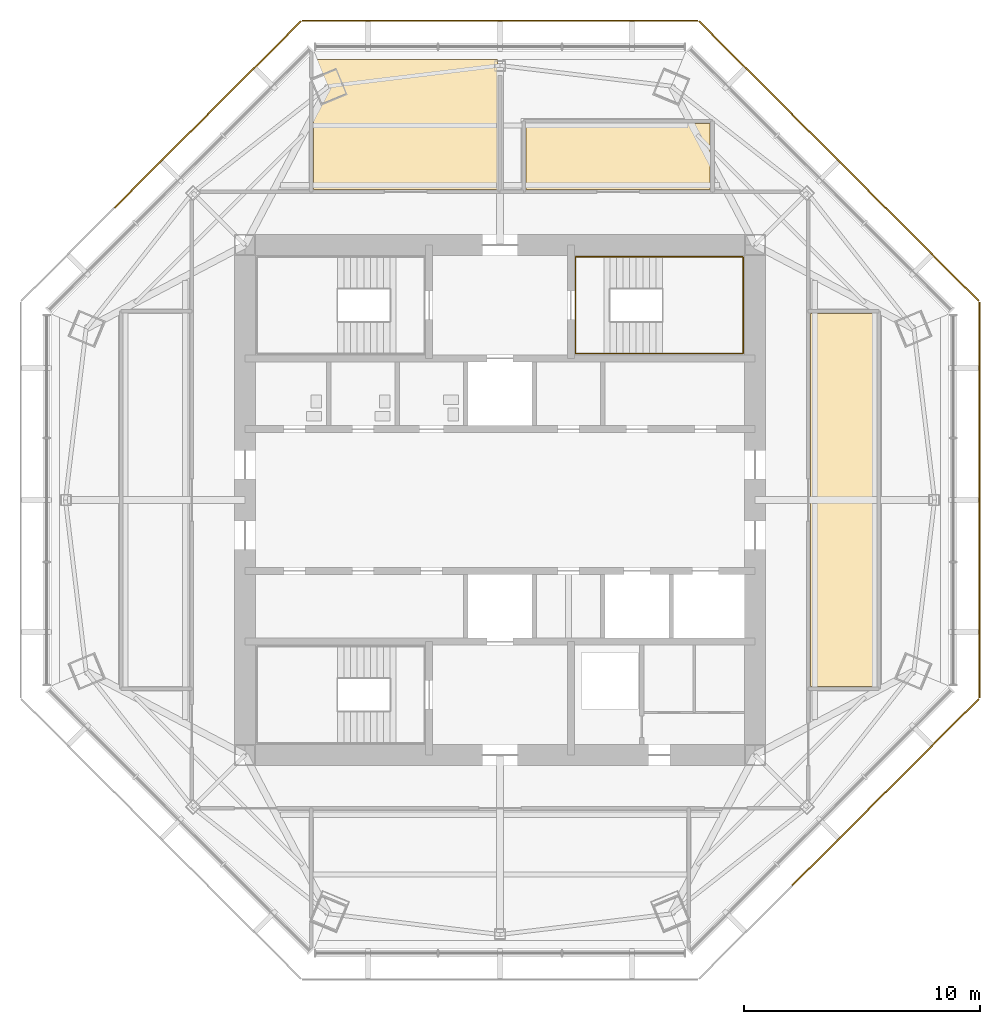
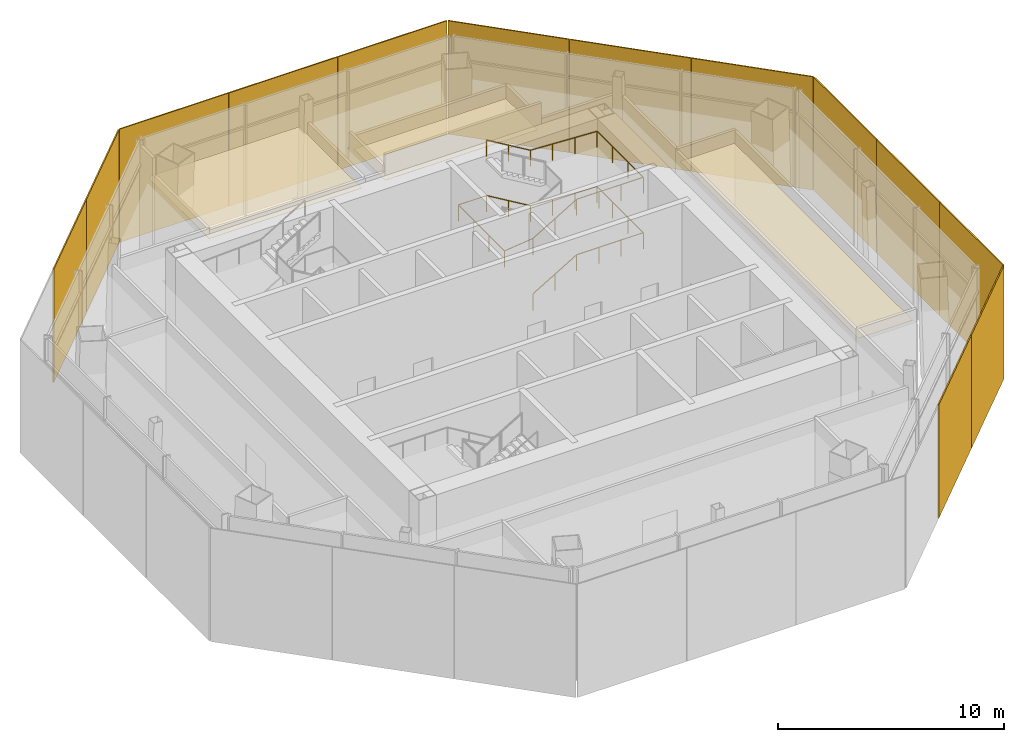
# One storey, part 10 of 11: 13 shading devices, 3 coverings, 1 railing.
"""IFC4 building model written with IfcOpenShell, lengths in metres."""

from ifc_helpers import new_model, si_unit, direction, frame, origin, origin_2d, place, context, subcontext, project, spatial, polyline, rectangle, circle, outline, extrude, source, transform, mapped, material, layer, layer_set, type_object, type_shapes, element, save


model = new_model("IFC4")

# Units and contexts
model_context = context("Model", 3, precision=1e-05, world=origin(), true_north=direction((0.0, 1.0)))
body_context = subcontext(model_context, "Body", "Model", "MODEL_VIEW")
ifc_project = project(units=[si_unit("LENGTHUNIT", "METRE"), si_unit("AREAUNIT", "SQUARE_METRE"), si_unit("VOLUMEUNIT", "CUBIC_METRE"), si_unit("PLANEANGLEUNIT", "RADIAN"), si_unit("MASSUNIT", "GRAM", prefix="KILO")], contexts=[model_context])

# Site, building, storey
site_placement = place(None, origin())
site = spatial("IfcSite", under=ifc_project, at=site_placement, CompositionType="ELEMENT")
building_placement = place(site_placement, origin())
building = spatial("IfcBuilding", under=site, at=building_placement, Name="Mashrafa Tower", CompositionType="ELEMENT")
storey_placement = place(building_placement, frame((0.0, 0.0, 311.60009765625)))
storey = spatial("IfcBuildingStorey", under=building, at=storey_placement, Name="L77", CompositionType="ELEMENT", Elevation=311.60009765625)

# Railing
ifc_material_1 = material(Name="Steel", Category="steel")
railing_type = type_object("IfcRailingType", Name="Stair handrail 900", PredefinedType="HANDRAIL", material=ifc_material_1)
railing_placement = place(storey_placement, frame((4.64990234375, 6.199951171875, 0.16650390625)))
element("IfcRailing", 1, at=railing_placement, inside=storey, type_object=railing_type, Name="Stair S2 handrail L77", PredefinedType="HANDRAIL", context=body_context, shape_type="SweptSolid", body=[
    extrude(circle(Radius=0.02392578125, at=origin_2d()), frame((0.0, 0.0, 0.8759765625), z_axis=(0.859264461869, 0.0, 0.511531606619), x_axis=(0.0, 1.0, 0.0)), (0.0, 0.0, 1.0), 2.60693359375),
    extrude(circle(Radius=0.02392578125, at=origin_2d()), frame((2.239990234375, 0.0, 2.20947265625), z_axis=(1.0, 0.0, 0.0), x_axis=(0.0, 1.0, 0.0)), (0.0, 0.0, 1.0), 3.41015625),
    extrude(circle(Radius=0.02392578125, at=origin_2d()), frame((5.650146484375, 0.0, 2.20947265625), z_axis=(0.0, 1.0, 0.0), x_axis=(-1.0, 0.0, 0.0)), (0.0, 0.0, 1.0), 4.10009765625),
    extrude(circle(Radius=0.02392578125, at=origin_2d()), frame((5.650146484375, 4.10009765625, 2.20947265625), z_axis=(-0.998810143355, 0.0, 0.048767791936), x_axis=(0.0, -1.0, 0.0)), (0.0, 0.0, 1.0), 3.414306640625),
    extrude(circle(Radius=0.02392578125, at=origin_2d()), frame((2.239990234375, 4.10009765625, 2.3759765625), z_axis=(-0.859264461869, 0.0, 0.511531606619), x_axis=(0.0, -1.0, 0.0)), (0.0, 0.0, 1.0), 2.60693359375),
    extrude(circle(Radius=0.02392578125, at=origin_2d()), frame((0.0, 4.10009765625, 3.70947265625), z_axis=(-1.0, 0.0, 0.0), x_axis=(0.0, -1.0, 0.0)), (0.0, 0.0, 1.0), 1.449951171875),
    extrude(circle(Radius=0.02392578125, at=origin_2d()), frame((-1.449951171875, 4.10009765625, 3.70947265625), z_axis=(0.0, -1.0, 0.0), x_axis=(1.0, 0.0, 0.0)), (0.0, 0.0, 1.0), 4.10009765625),
    extrude(circle(Radius=0.02392578125, at=origin_2d()), frame((-1.449951171875, 0.0, 3.70947265625), z_axis=(0.993471061085, 0.0, 0.114084402031), x_axis=(0.0, 1.0, 0.0)), (0.0, 0.0, 1.0), 1.45947265625),
    extrude(circle(Radius=0.02392578125, at=origin_2d()), frame((0.0, 0.0, 3.8759765625), z_axis=(0.859264461869, 0.0, 0.511531606619), x_axis=(0.0, 1.0, 0.0)), (0.0, 0.0, 1.0), 2.60693359375),
    extrude(circle(Radius=0.02392578125, at=origin_2d()), frame((2.239990234375, 0.0, 5.20947265625), z_axis=(1.0, 0.0, 0.0), x_axis=(0.0, 1.0, 0.0)), (0.0, 0.0, 1.0), 3.41015625),
    extrude(circle(Radius=0.02392578125, at=origin_2d()), frame((5.650146484375, 0.0, 5.20947265625), z_axis=(0.0, 1.0, 0.0), x_axis=(-1.0, 0.0, 0.0)), (0.0, 0.0, 1.0), 4.10009765625),
    extrude(circle(Radius=0.02392578125, at=origin_2d()), frame((5.650146484375, 4.10009765625, 5.20947265625), z_axis=(-0.998810143355, 0.0, 0.048767791936), x_axis=(0.0, -1.0, 0.0)), (0.0, 0.0, 1.0), 3.414306640625),
    extrude(circle(Radius=0.02392578125, at=origin_2d()), frame((2.239990234375, 4.10009765625, 5.3759765625), z_axis=(-0.859264461869, 0.0, 0.511531606619), x_axis=(0.0, -1.0, 0.0)), (0.0, 0.0, 1.0), 2.60693359375),
    extrude(circle(Radius=0.02099609375, at=origin_2d()), origin(), (0.0, 0.0, 1.0), 0.851806640625),
    extrude(circle(Radius=0.02099609375, at=origin_2d()), frame((1.1201171875, 0.0, 0.666748046875)), (0.0, 0.0, 1.0), 0.851806640625),
    extrude(circle(Radius=0.02099609375, at=origin_2d()), frame((2.239990234375, 0.0, 1.33349609375)), (0.0, 0.0, 1.0), 0.851806640625),
    extrude(circle(Radius=0.02099609375, at=origin_2d()), frame((3.376708984375, 0.0, 1.33349609375)), (0.0, 0.0, 1.0), 0.851806640625),
    extrude(circle(Radius=0.02099609375, at=origin_2d()), frame((4.513427734375, 0.0, 1.33349609375)), (0.0, 0.0, 1.0), 0.851806640625),
    extrude(circle(Radius=0.02099609375, at=origin_2d()), frame((5.650146484375, 0.0, 1.33349609375)), (0.0, 0.0, 1.0), 0.851806640625),
    extrude(circle(Radius=0.02099609375, at=origin_2d()), frame((5.650146484375, 1.36669921875, 1.33349609375)), (0.0, 0.0, 1.0), 0.851806640625),
    extrude(circle(Radius=0.02099609375, at=origin_2d()), frame((5.650146484375, 2.7333984375, 1.33349609375)), (0.0, 0.0, 1.0), 0.851806640625),
    extrude(circle(Radius=0.02099609375, at=origin_2d()), frame((5.650146484375, 4.10009765625, 1.33349609375)), (0.0, 0.0, 1.0), 0.851806640625),
    extrude(circle(Radius=0.02099609375, at=origin_2d()), frame((4.513427734375, 4.10009765625, 1.388916015625)), (0.0, 0.0, 1.0), 0.851806640625),
    extrude(circle(Radius=0.02099609375, at=origin_2d()), frame((3.376708984375, 4.10009765625, 1.444580078125)), (0.0, 0.0, 1.0), 0.851806640625),
    extrude(circle(Radius=0.02099609375, at=origin_2d()), frame((2.239990234375, 4.10009765625, 1.5)), (0.0, 0.0, 1.0), 0.851806640625),
    extrude(circle(Radius=0.02099609375, at=origin_2d()), frame((1.1201171875, 4.10009765625, 2.166748046875)), (0.0, 0.0, 1.0), 0.851806640625),
    extrude(circle(Radius=0.02099609375, at=origin_2d()), frame((0.0, 4.10009765625, 2.83349609375)), (0.0, 0.0, 1.0), 0.851806640625),
    extrude(circle(Radius=0.02099609375, at=origin_2d()), frame((-1.449951171875, 4.10009765625, 2.83349609375)), (0.0, 0.0, 1.0), 0.851806640625),
    extrude(circle(Radius=0.02099609375, at=origin_2d()), frame((-1.449951171875, 2.7333984375, 2.83349609375)), (0.0, 0.0, 1.0), 0.851806640625),
    extrude(circle(Radius=0.02099609375, at=origin_2d()), frame((-1.449951171875, 1.36669921875, 2.83349609375)), (0.0, 0.0, 1.0), 0.851806640625),
    extrude(circle(Radius=0.02099609375, at=origin_2d()), frame((-1.449951171875, 0.0, 2.83349609375)), (0.0, 0.0, 1.0), 0.851806640625),
    extrude(circle(Radius=0.02099609375, at=origin_2d()), frame((0.0, 0.0, 3.0)), (0.0, 0.0, 1.0), 0.851806640625),
    extrude(circle(Radius=0.02099609375, at=origin_2d()), frame((1.1201171875, 0.0, 3.666748046875)), (0.0, 0.0, 1.0), 0.851806640625),
    extrude(circle(Radius=0.02099609375, at=origin_2d()), frame((2.239990234375, 0.0, 4.33349609375)), (0.0, 0.0, 1.0), 0.851806640625),
    extrude(circle(Radius=0.02099609375, at=origin_2d()), frame((3.376708984375, 0.0, 4.33349609375)), (0.0, 0.0, 1.0), 0.851806640625),
    extrude(circle(Radius=0.02099609375, at=origin_2d()), frame((4.513427734375, 0.0, 4.33349609375)), (0.0, 0.0, 1.0), 0.851806640625),
    extrude(circle(Radius=0.02099609375, at=origin_2d()), frame((5.650146484375, 0.0, 4.33349609375)), (0.0, 0.0, 1.0), 0.851806640625),
    extrude(circle(Radius=0.02099609375, at=origin_2d()), frame((5.650146484375, 1.36669921875, 4.33349609375)), (0.0, 0.0, 1.0), 0.851806640625),
    extrude(circle(Radius=0.02099609375, at=origin_2d()), frame((5.650146484375, 2.7333984375, 4.33349609375)), (0.0, 0.0, 1.0), 0.851806640625),
    extrude(circle(Radius=0.02099609375, at=origin_2d()), frame((5.650146484375, 4.10009765625, 4.33349609375)), (0.0, 0.0, 1.0), 0.851806640625),
    extrude(circle(Radius=0.02099609375, at=origin_2d()), frame((4.513427734375, 4.10009765625, 4.388916015625)), (0.0, 0.0, 1.0), 0.851806640625),
    extrude(circle(Radius=0.02099609375, at=origin_2d()), frame((3.376708984375, 4.10009765625, 4.444580078125)), (0.0, 0.0, 1.0), 0.851806640625),
    extrude(circle(Radius=0.02099609375, at=origin_2d()), frame((2.239990234375, 4.10009765625, 4.5)), (0.0, 0.0, 1.0), 0.851806640625),
    extrude(circle(Radius=0.02099609375, at=origin_2d()), frame((1.1201171875, 4.10009765625, 5.166748046875)), (0.0, 0.0, 1.0), 0.851806640625),
    extrude(circle(Radius=0.02099609375, at=origin_2d()), frame((0.0, 4.10009765625, 5.83349609375)), (0.0, 0.0, 1.0), 0.851806640625),
])

# Coverings
ifc_material_2 = material(Name="Gypsum board on suspension grid")
ifc_layer_1 = layer(ifc_material_2, 0.012451171875)
ifc_layer_set_1 = layer_set([ifc_layer_1], Name="Suspended ceiling gypsum 12.5")
covering_type = type_object("IfcCoveringType", Name="Suspended ceiling gypsum 12.5", PredefinedType="CEILING", material=ifc_layer_set_1)
covering_1_placement = place(storey_placement, frame((0.0, 0.0, 4.199951171875)))
element("IfcCovering", 2, at=covering_1_placement, inside=storey, type_object=covering_type, Name="Ceiling Observation Gift Shop L77", PredefinedType="CEILING", context=body_context, shape_type="SweptSolid", body=[
    extrude(outline(polyline([(-0.10009765625, 13.14990234375), (-7.89990234375, 13.14990234375), (-7.89990234375, 18.47509765625), (-7.72509765625, 18.64990234375), (-0.10009765625, 18.64990234375), (-0.10009765625, 13.14990234375)])), origin(), (0.0, 0.0, 1.0), 0.012451171875),
])
covering_2_placement = place(storey_placement, frame((0.0, 0.0, 4.199951171875)))
element("IfcCovering", 3, at=covering_2_placement, inside=storey, type_object=covering_type, Name="Ceiling Exhibition Room L77", PredefinedType="CEILING", context=body_context, shape_type="SweptSolid", body=[
    extrude(outline(polyline([(13.14990234375, 7.89990234375), (15.949951171875, 7.89990234375), (15.949951171875, -7.89990234375), (13.14990234375, -7.89990234375), (13.14990234375, 7.89990234375)])), origin(), (0.0, 0.0, 1.0), 0.012451171875),
])
covering_3_placement = place(storey_placement, frame((0.0, 0.0, 4.199951171875)))
element("IfcCovering", 4, at=covering_3_placement, inside=storey, type_object=covering_type, Name="Ceiling Event Room L77", PredefinedType="CEILING", context=body_context, shape_type="SweptSolid", body=[
    extrude(outline(polyline([(1.10009765625, 15.949951171875), (8.89990234375, 15.949951171875), (8.89990234375, 13.14990234375), (1.10009765625, 13.14990234375), (1.10009765625, 15.949951171875)])), origin(), (0.0, 0.0, 1.0), 0.012451171875),
])

# Shading devices
ifc_material_3 = material(Name="Perforated aluminium plate, eight-point star pattern", Category="aluminium")
ifc_layer_2 = layer(ifc_material_3, 0.06005859375)
ifc_layer_set_2 = layer_set([ifc_layer_2], Name="Mashrabiya screen panel observation floor, 55 percent open")
shading_device_type = type_object("IfcShadingDeviceType", Name="Mashrabiya screen panel observation floor, 55 percent open", PredefinedType="SHUTTER", material=ifc_layer_set_2)
shared_shape = source(origin(), body_context, "Body", "SweptSolid", [
    extrude(rectangle(XDim=5.57080078125, YDim=0.06005859375, at=origin_2d()), origin(), (0.0, 0.0, 1.0), 6.1298828125),
])
type_shapes(shading_device_type, [shared_shape])
for number, where, z_axis, x_axis, name in (
    (5, (20.300048828125, -5.5908203125, -0.150146484375), (0.0, 0.0, 1.0), (0.0, 1.0, 0.0), "Mashrabiya screen L77 east 1"),
    (6, (20.300048828125, 0.0, -0.150146484375), (0.0, 0.0, 1.0), (0.0, 1.0, 0.0), "Mashrabiya screen L77 east 2"),
    (7, (20.300048828125, 5.5908203125, -0.150146484375), (0.0, 0.0, 1.0), (0.0, 1.0, 0.0), "Mashrabiya screen L77 east 3"),
    (8, (18.3076171875, 10.401123046875, -0.150146484375), (0.0, 0.0, 1.0), (-0.707106781187, 0.707106781187, 0.0), "Mashrabiya screen L77 north-east 1"),
    (9, (14.354248046875, 14.354248046875, -0.150146484375), (0.0, 0.0, 1.0), (-0.707106781187, 0.707106781187, 0.0), "Mashrabiya screen L77 north-east 2"),
    (10, (10.401123046875, 18.3076171875, -0.150146484375), (0.0, 0.0, 1.0), (-0.707106781187, 0.707106781187, 0.0), "Mashrabiya screen L77 north-east 3"),
    (11, (5.5908203125, 20.300048828125, -0.150146484375), (0.0, 0.0, 1.0), (-1.0, 0.0, 0.0), "Mashrabiya screen L77 north 1"),
    (12, (0.0, 20.300048828125, -0.150146484375), (0.0, 0.0, 1.0), (-1.0, 0.0, 0.0), "Mashrabiya screen L77 north 2"),
    (13, (-5.5908203125, 20.300048828125, -0.150146484375), (0.0, 0.0, 1.0), (-1.0, 0.0, 0.0), "Mashrabiya screen L77 north 3"),
    (14, (-10.401123046875, 18.3076171875, -0.150146484375), (0.0, 0.0, 1.0), (-0.707106781187, -0.707106781187, 0.0), "Mashrabiya screen L77 north-west 1"),
    (15, (-14.354248046875, 14.354248046875, -0.150146484375), (0.0, 0.0, 1.0), (-0.707106781187, -0.707106781187, 0.0), "Mashrabiya screen L77 north-west 2"),
    (16, (14.354248046875, -14.354248046875, -0.150146484375), (0.0, 0.0, 1.0), (0.707106781187, 0.707106781187, 0.0), "Mashrabiya screen L77 south-east 2"),
    (17, (18.3076171875, -10.401123046875, -0.150146484375), (0.0, 0.0, 1.0), (0.707106781187, 0.707106781187, 0.0), "Mashrabiya screen L77 south-east 3"),
):
    element("IfcShadingDevice", number, at=place(storey_placement, frame(where, z_axis=z_axis, x_axis=x_axis)), inside=storey, type_object=shading_device_type, Name=name, PredefinedType="SHUTTER", context=body_context, shape_type="MappedRepresentation", body=[
        mapped(shared_shape, transform((0.0, 0.0, 0.0))),
    ])

save(model, "model.ifc")
